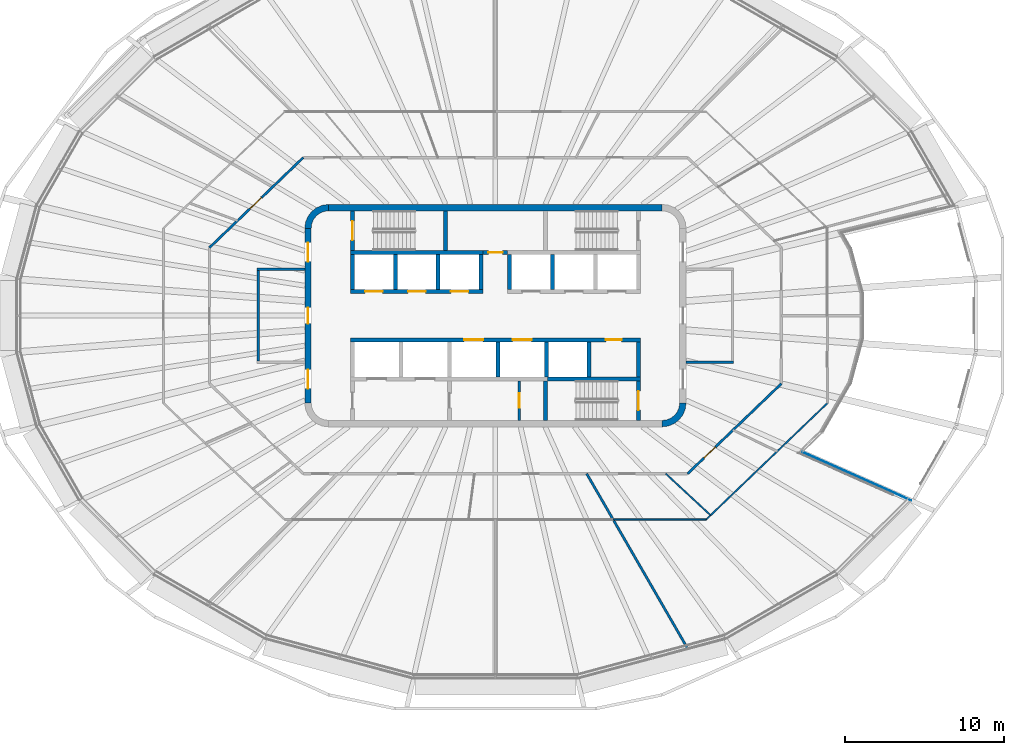
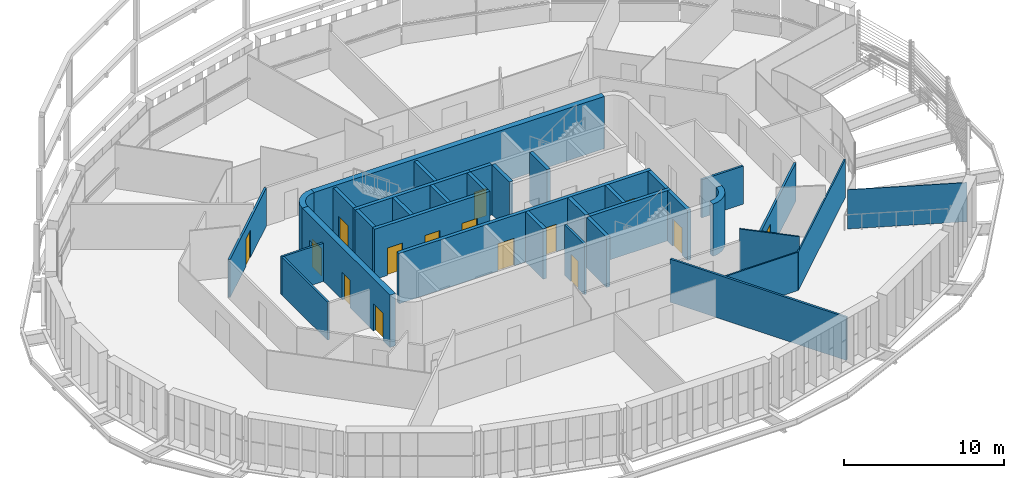
# One storey, part 11 of 21: 34 walls, 15 doors, 15 openings.
"""IFC4 building model written with IfcOpenShell, lengths in metres."""

from ifc_helpers import new_model, si_unit, direction, frame, frame_2d, origin, place, context, subcontext, project, spatial, polyline, rectangle, outline, extrude, material, layer, layer_set, type_object, element, fill, save


model = new_model("IFC4")

# Units and contexts
model_context = context("Model", 3, precision=1e-05, world=origin(), true_north=direction((0.0, 1.0)))
body_context = subcontext(model_context, "Body", "Model", "MODEL_VIEW")
ifc_project = project(units=[si_unit("LENGTHUNIT", "METRE"), si_unit("AREAUNIT", "SQUARE_METRE"), si_unit("VOLUMEUNIT", "CUBIC_METRE"), si_unit("PLANEANGLEUNIT", "RADIAN"), si_unit("MASSUNIT", "GRAM", prefix="KILO")], contexts=[model_context])

# Site, building, storey
site_placement = place(None, origin())
site = spatial("IfcSite", under=ifc_project, at=site_placement, CompositionType="ELEMENT")
building_placement = place(site_placement, origin())
building = spatial("IfcBuilding", under=site, at=building_placement, Name="Sahrelin Media Tower", CompositionType="ELEMENT")
storey_placement = place(building_placement, frame((0.0, 0.0, 263.0)))
storey = spatial("IfcBuildingStorey", under=building, at=storey_placement, Name="L57", CompositionType="ELEMENT", Elevation=263.0)

# Wall
ifc_material_1 = material(Name="Concrete C60/75", Category="concrete")
ifc_layer_1 = layer(ifc_material_1, 0.39990234375)
ifc_layer_set_1 = layer_set([ifc_layer_1], Name="Core wall 400")
wall_type_1 = type_object("IfcWallType", Name="Core wall 400", PredefinedType="SHEAR", material=ifc_layer_set_1)
wall_1_placement = place(storey_placement, frame((-10.5, 6.800048828125, 0.0), z_axis=(0.0, 0.0, 1.0), x_axis=(1.0, 0.0, 0.0)))
element("IfcWall", 1, at=wall_1_placement, inside=storey, type_object=wall_type_1, Name="Core wall N L57", PredefinedType="SHEAR", context=body_context, shape_type="SweptSolid", body=[
    extrude(rectangle(XDim=21.0, YDim=0.39990234375, at=frame_2d((10.5, 0.0))), origin(), (0.0, 0.0, 1.0), 4.0),
])

# Wall, openings, doors
wall_2_placement = place(storey_placement, frame((-11.800048828125, -5.5, 0.0), z_axis=(0.0, 0.0, 1.0), x_axis=(0.0, 1.0, 0.0)))
wall_2 = element("IfcWall", 2, at=wall_2_placement, inside=storey, type_object=wall_type_1, Name="Core wall W L57", PredefinedType="SHEAR", context=body_context, shape_type="SweptSolid", body=[
    extrude(rectangle(XDim=11.0, YDim=0.39990234375, at=frame_2d((5.5, 0.0))), origin(), (0.0, 0.0, 1.0), 4.0),
])
opening_1_placement = place(wall_2_placement, frame((5.0, 0.0, 0.0)))
opening_1 = element("IfcOpeningElement", 3, at=opening_1_placement, cuts=wall_2, Name="Opening L57-D09", PredefinedType="OPENING", context=body_context, shape_type="SweptSolid", body=[
    extrude(rectangle(XDim=1.0, YDim=2.10009765625, at=frame_2d((0.5, 1.050048828125))), frame((0.0, 0.199951171875, 0.0), z_axis=(0.0, -1.0, 0.0), x_axis=(1.0, 0.0, 0.0)), (0.0, 0.0, 1.0), 0.39990234375),
])
opening_2_placement = place(wall_2_placement, frame((0.89990234375, 0.0, 0.0)))
opening_2 = element("IfcOpeningElement", 4, at=opening_2_placement, cuts=wall_2, Name="Opening L57-D11", PredefinedType="OPENING", context=body_context, shape_type="SweptSolid", body=[
    extrude(rectangle(XDim=1.199951171875, YDim=2.10009765625, at=frame_2d((0.60009765625, 1.050048828125))), frame((0.0, 0.199951171875, 0.0), z_axis=(0.0, -1.0, 0.0), x_axis=(1.0, 0.0, 0.0)), (0.0, 0.0, 1.0), 0.39990234375),
])
opening_3_placement = place(wall_2_placement, frame((8.89990234375, 0.0, 0.0)))
opening_3 = element("IfcOpeningElement", 5, at=opening_3_placement, cuts=wall_2, Name="Opening L57-D12", PredefinedType="OPENING", context=body_context, shape_type="SweptSolid", body=[
    extrude(rectangle(XDim=1.199951171875, YDim=2.10009765625, at=frame_2d((0.60009765625, 1.050048828125))), frame((0.0, 0.199951171875, 0.0), z_axis=(0.0, -1.0, 0.0), x_axis=(1.0, 0.0, 0.0)), (0.0, 0.0, 1.0), 0.39990234375),
])
ifc_material_2 = material(Name="Steel fire door leaf", Category="steel")
door_type_1 = type_object("IfcDoorType", Name="Fire door 1000 x 2100 EI 60", OperationType="NOTDEFINED", PredefinedType="DOOR", material=ifc_material_2)
door_1_placement = place(opening_1_placement, origin())
door_1 = element("IfcDoor", 6, at=door_1_placement, inside=storey, type_object=door_type_1, Name="Core room door", OperationType="SINGLE_SWING_RIGHT", OverallHeight=2.10009765625, OverallWidth=1.0, PredefinedType="DOOR", context=body_context, shape_type="SweptSolid", body=[
    extrude(rectangle(XDim=1.0, YDim=2.10009765625, at=frame_2d((0.5, 1.050048828125))), frame((0.0, 0.02490234375, 0.0), z_axis=(0.0, -1.0, 0.0), x_axis=(1.0, 0.0, 0.0)), (0.0, 0.0, 1.0), 0.050048828125),
])
fill(opening_1, door_1)
door_type_2 = type_object("IfcDoorType", Name="Lobby door 1200 x 2100 EI 60", OperationType="NOTDEFINED", PredefinedType="DOOR", material=ifc_material_2)
door_2_placement = place(opening_2_placement, origin())
door_2 = element("IfcDoor", 7, at=door_2_placement, inside=storey, type_object=door_type_2, Name="Lobby door", OperationType="SINGLE_SWING_LEFT", OverallHeight=2.10009765625, OverallWidth=1.199951171875, PredefinedType="DOOR", context=body_context, shape_type="SweptSolid", body=[
    extrude(rectangle(XDim=1.199951171875, YDim=2.10009765625, at=frame_2d((0.60009765625, 1.050048828125))), frame((0.0, 0.02490234375, 0.0), z_axis=(0.0, -1.0, 0.0), x_axis=(1.0, 0.0, 0.0)), (0.0, 0.0, 1.0), 0.050048828125),
])
fill(opening_2, door_2)
door_3_placement = place(opening_3_placement, origin())
door_3 = element("IfcDoor", 8, at=door_3_placement, inside=storey, type_object=door_type_2, Name="Lobby door", OperationType="SINGLE_SWING_LEFT", OverallHeight=2.10009765625, OverallWidth=1.199951171875, PredefinedType="DOOR", context=body_context, shape_type="SweptSolid", body=[
    extrude(rectangle(XDim=1.199951171875, YDim=2.10009765625, at=frame_2d((0.60009765625, 1.050048828125))), frame((0.0, 0.02490234375, 0.0), z_axis=(0.0, -1.0, 0.0), x_axis=(1.0, 0.0, 0.0)), (0.0, 0.0, 1.0), 0.050048828125),
])
fill(opening_3, door_3)

# Walls
placement = place(storey_placement, origin())
element("IfcWall", 9, at=placement, inside=storey, type_object=wall_type_1, Name="Core wall corner NW L57", PredefinedType="SHEAR", context=body_context, shape_type="SweptSolid", body=[
    extrude(outline(polyline([(-12.0, 5.5), (-11.596435546875, 5.5), (-11.55908203125, 5.78369140625), (-11.44970703125, 6.04833984375), (-11.275390625, 6.275390625), (-11.04833984375, 6.44970703125), (-10.78369140625, 6.55908203125), (-10.5, 6.596435546875), (-10.5, 7.0), (-10.88818359375, 6.948974609375), (-11.25, 6.799072265625), (-11.560791015625, 6.560791015625), (-11.799072265625, 6.25), (-11.948974609375, 5.88818359375), (-12.0, 5.5)])), origin(), (0.0, 0.0, 1.0), 4.0),
])
element("IfcWall", 10, at=placement, inside=storey, type_object=wall_type_1, Name="Core wall corner SE L57", PredefinedType="SHEAR", context=body_context, shape_type="SweptSolid", body=[
    extrude(outline(polyline([(12.0, -5.5), (11.596435546875, -5.5), (11.55908203125, -5.78369140625), (11.44970703125, -6.04833984375), (11.275390625, -6.275390625), (11.04833984375, -6.44970703125), (10.78369140625, -6.55908203125), (10.5, -6.596435546875), (10.5, -7.0), (10.88818359375, -6.948974609375), (11.25, -6.799072265625), (11.560791015625, -6.560791015625), (11.799072265625, -6.25), (11.948974609375, -5.88818359375), (12.0, -5.5)])), origin(), (0.0, 0.0, 1.0), 4.0),
])

# Wall, opening, door
ifc_material_3 = material(Name="Fire-rated gypsum board partition")
ifc_layer_2 = layer(ifc_material_3, 0.25)
ifc_layer_set_2 = layer_set([ifc_layer_2], Name="Fire-rated lobby wall 250")
wall_type_2 = type_object("IfcWallType", Name="Fire-rated lobby wall 250", PredefinedType="PARTITIONING", material=ifc_layer_set_2)
wall_5_placement = place(storey_placement, frame((-0.77490234375, 3.97509765625, 0.0), z_axis=(0.0, 0.0, 1.0), x_axis=(1.0, 0.0, 0.0)))
wall_5 = element("IfcWall", 11, at=wall_5_placement, inside=storey, type_object=wall_type_2, Name="Core lobby wall", PredefinedType="PARTITIONING", context=body_context, shape_type="SweptSolid", body=[
    extrude(rectangle(XDim=1.5498046875, YDim=0.25, at=frame_2d((0.77490234375, 0.0))), origin(), (0.0, 0.0, 1.0), 3.85009765625),
])
opening_4_placement = place(wall_5_placement, frame((0.324951171875, 0.0, 0.0)))
opening_4 = element("IfcOpeningElement", 12, at=opening_4_placement, cuts=wall_5, Name="Opening L57-D06", PredefinedType="OPENING", context=body_context, shape_type="SweptSolid", body=[
    extrude(rectangle(XDim=0.89990234375, YDim=2.10009765625, at=frame_2d((0.449951171875, 1.050048828125))), frame((0.0, 0.125, 0.0), z_axis=(0.0, -1.0, 0.0), x_axis=(1.0, 0.0, 0.0)), (0.0, 0.0, 1.0), 0.25),
])
door_type_3 = type_object("IfcDoorType", Name="Riser door 900 x 2100 EI 120", OperationType="NOTDEFINED", PredefinedType="DOOR", material=ifc_material_2)
door_4_placement = place(opening_4_placement, origin())
door_4 = element("IfcDoor", 13, at=door_4_placement, inside=storey, type_object=door_type_3, Name="Core room door", OperationType="SINGLE_SWING_LEFT", OverallHeight=2.10009765625, OverallWidth=0.89990234375, PredefinedType="DOOR", context=body_context, shape_type="SweptSolid", body=[
    extrude(rectangle(XDim=0.89990234375, YDim=2.10009765625, at=frame_2d((0.449951171875, 1.050048828125))), frame((0.0, 0.02490234375, 0.0), z_axis=(0.0, -1.0, 0.0), x_axis=(1.0, 0.0, 0.0)), (0.0, 0.0, 1.0), 0.050048828125),
])
fill(opening_4, door_4)

ifc_layer_3 = layer(ifc_material_3, 0.14990234375)
ifc_layer_set_3 = layer_set([ifc_layer_3], Name="Fire-rated partition 150")
wall_type_3 = type_object("IfcWallType", Name="Fire-rated partition 150", PredefinedType="PARTITIONING", material=ifc_layer_set_3)
wall_6_placement = place(storey_placement, frame((1.5, -6.60009765625, 0.0), z_axis=(0.0, 0.0, 1.0), x_axis=(0.0, 1.0, 0.0)))
wall_6 = element("IfcWall", 14, at=wall_6_placement, inside=storey, type_object=wall_type_3, Name="Core room fire partition", PredefinedType="PARTITIONING", context=body_context, shape_type="SweptSolid", body=[
    extrude(rectangle(XDim=2.5, YDim=0.14990234375, at=frame_2d((1.25, 0.0))), origin(), (0.0, 0.0, 1.0), 3.85009765625),
])
opening_5_placement = place(wall_6_placement, frame((0.800048828125, 0.0, 0.0)))
opening_5 = element("IfcOpeningElement", 15, at=opening_5_placement, cuts=wall_6, Name="Opening L57-D07", PredefinedType="OPENING", context=body_context, shape_type="SweptSolid", body=[
    extrude(rectangle(XDim=0.89990234375, YDim=2.10009765625, at=frame_2d((0.449951171875, 1.050048828125))), frame((0.0, 0.074951171875, 0.0), z_axis=(0.0, -1.0, 0.0), x_axis=(1.0, 0.0, 0.0)), (0.0, 0.0, 1.0), 0.14990234375),
])
door_type_4 = type_object("IfcDoorType", Name="Fire door 900 x 2100 EI 60", OperationType="NOTDEFINED", PredefinedType="DOOR", material=ifc_material_2)
door_5_placement = place(opening_5_placement, origin())
door_5 = element("IfcDoor", 16, at=door_5_placement, inside=storey, type_object=door_type_4, Name="Core room door", OperationType="SINGLE_SWING_RIGHT", OverallHeight=2.10009765625, OverallWidth=0.89990234375, PredefinedType="DOOR", context=body_context, shape_type="SweptSolid", body=[
    extrude(rectangle(XDim=0.89990234375, YDim=2.10009765625, at=frame_2d((0.449951171875, 1.050048828125))), frame((0.0, 0.02490234375, 0.0), z_axis=(0.0, -1.0, 0.0), x_axis=(1.0, 0.0, 0.0)), (0.0, 0.0, 1.0), 0.050048828125),
])
fill(opening_5, door_5)

# Walls
wall_7_placement = place(storey_placement, frame((-14.925048828125, -2.85009765625, 0.0), z_axis=(0.0, 0.0, 1.0), x_axis=(0.0, 1.0, 0.0)))
element("IfcWall", 17, at=wall_7_placement, inside=storey, type_object=wall_type_3, Name="Core room fire partition", PredefinedType="PARTITIONING", context=body_context, shape_type="SweptSolid", body=[
    extrude(rectangle(XDim=5.7001953125, YDim=0.14990234375, at=frame_2d((2.85009765625, 0.0))), origin(), (0.0, 0.0, 1.0), 2.918212890625),
])
for number, where, z_axis, x_axis, name in (
    (18, (-15.0, 2.925048828125, 0.0), (0.0, 0.0, 1.0), (1.0, 0.0, 0.0), "Core room fire partition"),
    (19, (12.0, -2.925048828125, 0.0), (0.0, 0.0, 1.0), (1.0, 0.0, 0.0), "Core room fire partition"),
):
    element("IfcWall", number, at=place(storey_placement, frame(where, z_axis=z_axis, x_axis=x_axis)), inside=storey, type_object=wall_type_3, Name=name, PredefinedType="PARTITIONING", context=body_context, shape_type="SweptSolid", body=[
        extrude(rectangle(XDim=3.0, YDim=0.14990234375, at=frame_2d((1.5, 0.0))), origin(), (0.0, 0.0, 1.0), 2.918212890625),
    ])
wall_8_placement = place(storey_placement, frame((5.743896484375, -9.948974609375, 0.0), z_axis=(0.0, 0.0, 1.0), x_axis=(0.500041996576, -0.866001155692, 0.0)))
element("IfcWall", 20, at=wall_8_placement, inside=storey, type_object=wall_type_3, Name="Wall", PredefinedType="PARTITIONING", context=body_context, shape_type="SweptSolid", body=[
    extrude(rectangle(XDim=12.7421875, YDim=0.14990234375, at=frame_2d((6.37109375, 0.0))), origin(), (0.0, 0.0, 1.0), 3.3017578125),
])

# Wall, opening, door
wall_9_placement = place(storey_placement, frame((12.094970703125, -9.948974609375, 0.0), z_axis=(0.0, 0.0, 1.0), x_axis=(0.721260976692, 0.69266341285, 0.0)))
wall_9 = element("IfcWall", 21, at=wall_9_placement, inside=storey, type_object=wall_type_3, Name="Wall", PredefinedType="PARTITIONING", context=body_context, shape_type="SweptSolid", body=[
    extrude(rectangle(XDim=8.18701171875, YDim=0.14990234375, at=frame_2d((4.093505859375, 0.0))), origin(), (0.0, 0.0, 1.0), 2.918212890625),
])
opening_6_placement = place(wall_9_placement, frame((1.4296875, 0.0, 0.0)))
opening_6 = element("IfcOpeningElement", 22, at=opening_6_placement, cuts=wall_9, Name="Opening L57-D31", PredefinedType="OPENING", context=body_context, shape_type="SweptSolid", body=[
    extrude(rectangle(XDim=1.0, YDim=2.10009765625, at=frame_2d((0.5, 1.050048828125))), frame((0.0, 0.074951171875, 0.0), z_axis=(0.0, -1.0, 0.0), x_axis=(1.0, 0.0, 0.0)), (0.0, 0.0, 1.0), 0.14990234375),
])
door_6_placement = place(opening_6_placement, origin())
door_6 = element("IfcDoor", 23, at=door_6_placement, inside=storey, type_object=door_type_1, Name="Fire door", OperationType="SINGLE_SWING_RIGHT", OverallHeight=2.10009765625, OverallWidth=1.0, PredefinedType="DOOR", context=body_context, shape_type="SweptSolid", body=[
    extrude(rectangle(XDim=1.0, YDim=2.10009765625, at=frame_2d((0.5, 1.050048828125))), frame((0.0, 0.02490234375, 0.0), z_axis=(0.0, -1.0, 0.0), x_axis=(1.0, 0.0, 0.0)), (0.0, 0.0, 1.0), 0.050048828125),
])
fill(opening_6, door_6)

wall_10_placement = place(storey_placement, frame((-18.0, 4.278076171875, 0.0), z_axis=(0.0, 0.0, 1.0), x_axis=(0.721260976692, 0.69266341285, 0.0)))
wall_10 = element("IfcWall", 24, at=wall_10_placement, inside=storey, type_object=wall_type_3, Name="Wall", PredefinedType="PARTITIONING", context=body_context, shape_type="SweptSolid", body=[
    extrude(rectangle(XDim=8.18701171875, YDim=0.14990234375, at=frame_2d((4.093505859375, 0.0))), origin(), (0.0, 0.0, 1.0), 2.918212890625),
])
opening_7_placement = place(wall_10_placement, frame((3.5439453125, 0.0, 0.0)))
opening_7 = element("IfcOpeningElement", 25, at=opening_7_placement, cuts=wall_10, Name="Opening L57-D21", PredefinedType="OPENING", context=body_context, shape_type="SweptSolid", body=[
    extrude(rectangle(XDim=1.0, YDim=2.10009765625, at=frame_2d((0.5, 1.050048828125))), frame((0.0, 0.074951171875, 0.0), z_axis=(0.0, -1.0, 0.0), x_axis=(1.0, 0.0, 0.0)), (0.0, 0.0, 1.0), 0.14990234375),
])
door_7_placement = place(opening_7_placement, origin())
door_7 = element("IfcDoor", 26, at=door_7_placement, inside=storey, type_object=door_type_1, Name="Fire door", OperationType="SINGLE_SWING_LEFT", OverallHeight=2.10009765625, OverallWidth=1.0, PredefinedType="DOOR", context=body_context, shape_type="SweptSolid", body=[
    extrude(rectangle(XDim=1.0, YDim=2.10009765625, at=frame_2d((0.5, 1.050048828125))), frame((0.0, 0.02490234375, 0.0), z_axis=(0.0, -1.0, 0.0), x_axis=(1.0, 0.0, 0.0)), (0.0, 0.0, 1.0), 0.050048828125),
])
fill(opening_7, door_7)

# Wall
ifc_material_4 = material(Name="Clear glass", Category="glass")
ifc_layer_4 = layer(ifc_material_4, 0.050048828125)
ifc_layer_set_4 = layer_set([ifc_layer_4], Name="Glazed partition 50")
wall_type_4 = type_object("IfcWallType", Name="Glazed partition 50", PredefinedType="PARTITIONING", material=ifc_layer_set_4)
wall_11_placement = place(storey_placement, frame((19.324951171875, -8.593994140625, 0.0), z_axis=(0.0, 0.0, 1.0), x_axis=(0.913724263299, -0.406334801191, 0.0)))
element("IfcWall", 27, at=wall_11_placement, inside=storey, type_object=wall_type_4, Name="Wall", PredefinedType="PARTITIONING", context=body_context, shape_type="SweptSolid", body=[
    extrude(rectangle(XDim=7.4990234375, YDim=0.050048828125, at=frame_2d((3.74951171875, 0.0))), origin(), (0.0, 0.0, 1.0), 2.9951171875),
])

# Wall, openings, doors
ifc_layer_5 = layer(ifc_material_1, 0.25)
ifc_layer_set_5 = layer_set([ifc_layer_5], Name="Lift shaft wall 250")
wall_type_5 = type_object("IfcWallType", Name="Lift shaft wall 250", PredefinedType="SOLIDWALL", material=ifc_layer_set_5)
wall_12_placement = place(storey_placement, frame((-9.125, 1.52490234375, 0.0), z_axis=(0.0, 0.0, 1.0), x_axis=(1.0, 0.0, 0.0)))
wall_12 = element("IfcWall", 28, at=wall_12_placement, inside=storey, type_object=wall_type_5, Name="Lift shaft wall", PredefinedType="SOLIDWALL", context=body_context, shape_type="SweptSolid", body=[
    extrude(rectangle(XDim=8.35009765625, YDim=0.25, at=frame_2d((4.175048828125, 0.0))), origin(), (0.0, 0.0, 1.0), 3.85009765625),
])
opening_8_placement = place(wall_12_placement, frame((0.925048828125, 0.0, 0.0)))
opening_8 = element("IfcOpeningElement", 29, at=opening_8_placement, cuts=wall_12, Name="Opening L57-LD-HR1", PredefinedType="OPENING", context=body_context, shape_type="SweptSolid", body=[
    extrude(rectangle(XDim=1.10009765625, YDim=2.10009765625, at=frame_2d((0.550048828125, 1.050048828125))), frame((0.0, 0.125, 0.0), z_axis=(0.0, -1.0, 0.0), x_axis=(1.0, 0.0, 0.0)), (0.0, 0.0, 1.0), 0.25),
])
opening_9_placement = place(wall_12_placement, frame((3.625, 0.0, 0.0)))
opening_9 = element("IfcOpeningElement", 30, at=opening_9_placement, cuts=wall_12, Name="Opening L57-LD-HR2", PredefinedType="OPENING", context=body_context, shape_type="SweptSolid", body=[
    extrude(rectangle(XDim=1.10009765625, YDim=2.10009765625, at=frame_2d((0.550048828125, 1.050048828125))), frame((0.0, 0.125, 0.0), z_axis=(0.0, -1.0, 0.0), x_axis=(1.0, 0.0, 0.0)), (0.0, 0.0, 1.0), 0.25),
])
opening_10_placement = place(wall_12_placement, frame((6.324951171875, 0.0, 0.0)))
opening_10 = element("IfcOpeningElement", 31, at=opening_10_placement, cuts=wall_12, Name="Opening L57-LD-HR3", PredefinedType="OPENING", context=body_context, shape_type="SweptSolid", body=[
    extrude(rectangle(XDim=1.10009765625, YDim=2.10009765625, at=frame_2d((0.550048828125, 1.050048828125))), frame((0.0, 0.125, 0.0), z_axis=(0.0, -1.0, 0.0), x_axis=(1.0, 0.0, 0.0)), (0.0, 0.0, 1.0), 0.25),
])
ifc_material_5 = material(Name="Stainless steel", Category="steel")
door_type_5 = type_object("IfcDoorType", Name="Lift landing door 1100 x 2100 EI 120", OperationType="DOUBLE_DOOR_SLIDING", PredefinedType="DOOR", material=ifc_material_5)
door_8_placement = place(opening_8_placement, origin())
door_8 = element("IfcDoor", 32, at=door_8_placement, inside=storey, type_object=door_type_5, Name="Lift landing door HR1", OperationType="DOUBLE_DOOR_SLIDING", OverallHeight=2.10009765625, OverallWidth=1.10009765625, PredefinedType="DOOR", context=body_context, shape_type="SweptSolid", body=[
    extrude(rectangle(XDim=1.10009765625, YDim=2.10009765625, at=frame_2d((0.550048828125, 1.050048828125))), frame((0.0, 0.02490234375, 0.0), z_axis=(0.0, -1.0, 0.0), x_axis=(1.0, 0.0, 0.0)), (0.0, 0.0, 1.0), 0.050048828125),
])
fill(opening_8, door_8)
door_9_placement = place(opening_9_placement, origin())
door_9 = element("IfcDoor", 33, at=door_9_placement, inside=storey, type_object=door_type_5, Name="Lift landing door HR2", OperationType="DOUBLE_DOOR_SLIDING", OverallHeight=2.10009765625, OverallWidth=1.10009765625, PredefinedType="DOOR", context=body_context, shape_type="SweptSolid", body=[
    extrude(rectangle(XDim=1.10009765625, YDim=2.10009765625, at=frame_2d((0.550048828125, 1.050048828125))), frame((0.0, 0.02490234375, 0.0), z_axis=(0.0, -1.0, 0.0), x_axis=(1.0, 0.0, 0.0)), (0.0, 0.0, 1.0), 0.050048828125),
])
fill(opening_9, door_9)
door_10_placement = place(opening_10_placement, origin())
door_10 = element("IfcDoor", 34, at=door_10_placement, inside=storey, type_object=door_type_5, Name="Lift landing door HR3", OperationType="DOUBLE_DOOR_SLIDING", OverallHeight=2.10009765625, OverallWidth=1.10009765625, PredefinedType="DOOR", context=body_context, shape_type="SweptSolid", body=[
    extrude(rectangle(XDim=1.10009765625, YDim=2.10009765625, at=frame_2d((0.550048828125, 1.050048828125))), frame((0.0, 0.02490234375, 0.0), z_axis=(0.0, -1.0, 0.0), x_axis=(1.0, 0.0, 0.0)), (0.0, 0.0, 1.0), 0.050048828125),
])
fill(opening_10, door_10)

# Walls
wall_13_placement = place(storey_placement, frame((-9.125, 3.97509765625, 0.0), z_axis=(0.0, 0.0, 1.0), x_axis=(1.0, 0.0, 0.0)))
element("IfcWall", 35, at=wall_13_placement, inside=storey, type_object=wall_type_5, Name="Lift shaft wall", PredefinedType="SOLIDWALL", context=body_context, shape_type="SweptSolid", body=[
    extrude(rectangle(XDim=8.35009765625, YDim=0.25, at=frame_2d((4.175048828125, 0.0))), origin(), (0.0, 0.0, 1.0), 3.85009765625),
])
for number, where, z_axis, x_axis, name in (
    (36, (-9.0, 1.64990234375, 0.0), (0.0, 0.0, 1.0), (0.0, 1.0, 0.0), "Lift shaft wall"),
    (37, (-6.300048828125, 1.64990234375, 0.0), (0.0, 0.0, 1.0), (0.0, 1.0, 0.0), "Lift shaft wall"),
    (38, (-3.60009765625, 1.64990234375, 0.0), (0.0, 0.0, 1.0), (0.0, 1.0, 0.0), "Lift shaft wall"),
    (39, (3.60009765625, 1.64990234375, 0.0), (0.0, 0.0, 1.0), (0.0, 1.0, 0.0), "Lift shaft wall"),
    (40, (-0.89990234375, 1.64990234375, 0.0), (0.0, 0.0, 1.0), (0.0, 1.0, 0.0), "Lift shaft wall"),
    (41, (0.89990234375, 1.64990234375, 0.0), (0.0, 0.0, 1.0), (0.0, 1.0, 0.0), "Lift shaft wall"),
):
    element("IfcWall", number, at=place(storey_placement, frame(where, z_axis=z_axis, x_axis=x_axis)), inside=storey, type_object=wall_type_5, Name=name, PredefinedType="SOLIDWALL", context=body_context, shape_type="SweptSolid", body=[
        extrude(rectangle(XDim=2.2001953125, YDim=0.25, at=frame_2d((1.10009765625, 0.0))), origin(), (0.0, 0.0, 1.0), 3.85009765625),
    ])

# Wall, openings, doors
wall_14_placement = place(storey_placement, frame((-9.125, -1.52490234375, 0.0), z_axis=(0.0, 0.0, 1.0), x_axis=(1.0, 0.0, 0.0)))
wall_14 = element("IfcWall", 42, at=wall_14_placement, inside=storey, type_object=wall_type_5, Name="Lift shaft wall", PredefinedType="SOLIDWALL", context=body_context, shape_type="SweptSolid", body=[
    extrude(rectangle(XDim=18.25, YDim=0.25, at=frame_2d((9.125, 0.0))), origin(), (0.0, 0.0, 1.0), 3.85009765625),
])
opening_11_placement = place(wall_14_placement, frame((7.14990234375, 0.0, 0.0)))
opening_11 = element("IfcOpeningElement", 43, at=opening_11_placement, cuts=wall_14, Name="Opening L57-LD-SV1", PredefinedType="OPENING", context=body_context, shape_type="SweptSolid", body=[
    extrude(rectangle(XDim=1.199951171875, YDim=2.10009765625, at=frame_2d((0.60009765625, 1.050048828125))), frame((0.0, 0.125, 0.0), z_axis=(0.0, -1.0, 0.0), x_axis=(1.0, 0.0, 0.0)), (0.0, 0.0, 1.0), 0.25),
])
opening_12_placement = place(wall_14_placement, frame((10.199951171875, 0.0, 0.0)))
opening_12 = element("IfcOpeningElement", 44, at=opening_12_placement, cuts=wall_14, Name="Opening L57-LD-SV2", PredefinedType="OPENING", context=body_context, shape_type="SweptSolid", body=[
    extrude(rectangle(XDim=1.199951171875, YDim=2.10009765625, at=frame_2d((0.60009765625, 1.050048828125))), frame((0.0, 0.125, 0.0), z_axis=(0.0, -1.0, 0.0), x_axis=(1.0, 0.0, 0.0)), (0.0, 0.0, 1.0), 0.25),
])
opening_13_placement = place(wall_14_placement, frame((16.074951171875, 0.0, 0.0)))
opening_13 = element("IfcOpeningElement", 45, at=opening_13_placement, cuts=wall_14, Name="Opening L57-D08", PredefinedType="OPENING", context=body_context, shape_type="SweptSolid", body=[
    extrude(rectangle(XDim=1.0, YDim=2.10009765625, at=frame_2d((0.5, 1.050048828125))), frame((0.0, 0.125, 0.0), z_axis=(0.0, -1.0, 0.0), x_axis=(1.0, 0.0, 0.0)), (0.0, 0.0, 1.0), 0.25),
])
door_11_placement = place(opening_13_placement, origin())
door_11 = element("IfcDoor", 46, at=door_11_placement, inside=storey, type_object=door_type_1, Name="Core room door", OperationType="SINGLE_SWING_RIGHT", OverallHeight=2.10009765625, OverallWidth=1.0, PredefinedType="DOOR", context=body_context, shape_type="SweptSolid", body=[
    extrude(rectangle(XDim=1.0, YDim=2.10009765625, at=frame_2d((0.5, 1.050048828125))), frame((0.0, 0.02490234375, 0.0), z_axis=(0.0, -1.0, 0.0), x_axis=(1.0, 0.0, 0.0)), (0.0, 0.0, 1.0), 0.050048828125),
])
fill(opening_13, door_11)
door_type_6 = type_object("IfcDoorType", Name="Lift landing door 1200 x 2100 EI 120", OperationType="DOUBLE_DOOR_SLIDING", PredefinedType="DOOR", material=ifc_material_5)
door_12_placement = place(opening_11_placement, origin())
door_12 = element("IfcDoor", 47, at=door_12_placement, inside=storey, type_object=door_type_6, Name="Lift landing door SV1", OperationType="DOUBLE_DOOR_SLIDING", OverallHeight=2.10009765625, OverallWidth=1.199951171875, PredefinedType="DOOR", context=body_context, shape_type="SweptSolid", body=[
    extrude(rectangle(XDim=1.199951171875, YDim=2.10009765625, at=frame_2d((0.60009765625, 1.050048828125))), frame((0.0, 0.02490234375, 0.0), z_axis=(0.0, -1.0, 0.0), x_axis=(1.0, 0.0, 0.0)), (0.0, 0.0, 1.0), 0.050048828125),
])
fill(opening_11, door_12)
door_13_placement = place(opening_12_placement, origin())
door_13 = element("IfcDoor", 48, at=door_13_placement, inside=storey, type_object=door_type_6, Name="Lift landing door SV2", OperationType="DOUBLE_DOOR_SLIDING", OverallHeight=2.10009765625, OverallWidth=1.199951171875, PredefinedType="DOOR", context=body_context, shape_type="SweptSolid", body=[
    extrude(rectangle(XDim=1.199951171875, YDim=2.10009765625, at=frame_2d((0.60009765625, 1.050048828125))), frame((0.0, 0.02490234375, 0.0), z_axis=(0.0, -1.0, 0.0), x_axis=(1.0, 0.0, 0.0)), (0.0, 0.0, 1.0), 0.050048828125),
])
fill(opening_12, door_13)

# Walls
wall_15_placement = place(storey_placement, frame((3.27490234375, -3.97509765625, 0.0), z_axis=(0.0, 0.0, 1.0), x_axis=(1.0, 0.0, 0.0)))
element("IfcWall", 49, at=wall_15_placement, inside=storey, type_object=wall_type_5, Name="Lift shaft wall", PredefinedType="SOLIDWALL", context=body_context, shape_type="SweptSolid", body=[
    extrude(rectangle(XDim=5.85009765625, YDim=0.25, at=frame_2d((2.925048828125, 0.0))), origin(), (0.0, 0.0, 1.0), 3.85009765625),
])
for number, where, z_axis, x_axis, name in (
    (50, (0.14990234375, -3.85009765625, 0.0), (0.0, 0.0, 1.0), (0.0, 1.0, 0.0), "Lift shaft wall"),
    (51, (3.199951171875, -3.85009765625, 0.0), (0.0, 0.0, 1.0), (0.0, 1.0, 0.0), "Lift shaft wall"),
    (52, (5.89990234375, -3.85009765625, 0.0), (0.0, 0.0, 1.0), (0.0, 1.0, 0.0), "Lift shaft wall"),
    (53, (9.0, -3.85009765625, 0.0), (0.0, 0.0, 1.0), (0.0, 1.0, 0.0), "Lift shaft wall"),
):
    element("IfcWall", number, at=place(storey_placement, frame(where, z_axis=z_axis, x_axis=x_axis)), inside=storey, type_object=wall_type_5, Name=name, PredefinedType="SOLIDWALL", context=body_context, shape_type="SweptSolid", body=[
        extrude(rectangle(XDim=2.2001953125, YDim=0.25, at=frame_2d((1.10009765625, 0.0))), origin(), (0.0, 0.0, 1.0), 3.85009765625),
    ])
ifc_material_6 = material(Name="Gypsum board partition")
ifc_layer_6 = layer(ifc_material_6, 0.10009765625)
ifc_layer_set_6 = layer_set([ifc_layer_6], Name="Partition 100")
wall_type_6 = type_object("IfcWallType", Name="Partition 100", PredefinedType="PARTITIONING", material=ifc_layer_set_6)
wall_16_placement = place(storey_placement, frame((10.721923828125, -9.948974609375, 0.0), z_axis=(0.0, 0.0, 1.0), x_axis=(0.733130105592, -0.680088412102, 0.0)))
element("IfcWall", 54, at=wall_16_placement, inside=storey, type_object=wall_type_6, Name="Wall", PredefinedType="PARTITIONING", context=body_context, shape_type="SweptSolid", body=[
    extrude(rectangle(XDim=3.847900390625, YDim=0.10009765625, at=frame_2d((1.923828125, 0.0))), origin(), (0.0, 0.0, 1.0), 3.85009765625),
])
wall_17_placement = place(storey_placement, frame((7.4130859375, -12.839111328125, 0.0), z_axis=(0.0, 0.0, 1.0), x_axis=(1.0, 0.0, 0.0)))
element("IfcWall", 55, at=wall_17_placement, inside=storey, type_object=wall_type_6, Name="Wall", PredefinedType="PARTITIONING", context=body_context, shape_type="SweptSolid", body=[
    extrude(rectangle(XDim=5.844970703125, YDim=0.10009765625, at=frame_2d((2.92236328125, 0.0))), origin(), (0.0, 0.0, 1.0), 2.927001953125),
])
wall_18_placement = place(storey_placement, frame((13.258056640625, -12.839111328125, 0.0), z_axis=(0.0, 0.0, 1.0), x_axis=(0.721435728401, 0.692481400318, 0.0)))
element("IfcWall", 56, at=wall_18_placement, inside=storey, type_object=wall_type_6, Name="Wall", PredefinedType="PARTITIONING", context=body_context, shape_type="SweptSolid", body=[
    extrude(rectangle(XDim=10.58203125, YDim=0.10009765625, at=frame_2d((5.291015625, 0.0))), origin(), (0.0, 0.0, 1.0), 2.927001953125),
])

# Wall, opening, door
ifc_layer_7 = layer(ifc_material_1, 0.25)
ifc_layer_set_7 = layer_set([ifc_layer_7], Name="Stair enclosure wall 250")
wall_type_7 = type_object("IfcWallType", Name="Stair enclosure wall 250", PredefinedType="SOLIDWALL", material=ifc_layer_set_7)
wall_19_placement = place(storey_placement, frame((-9.0, 4.10009765625, 0.0), z_axis=(0.0, 0.0, 1.0), x_axis=(0.0, 1.0, 0.0)))
wall_19 = element("IfcWall", 57, at=wall_19_placement, inside=storey, type_object=wall_type_7, Name="Stair enclosure wall", PredefinedType="SOLIDWALL", context=body_context, shape_type="SweptSolid", body=[
    extrude(rectangle(XDim=2.5, YDim=0.25, at=frame_2d((1.25, 0.0))), origin(), (0.0, 0.0, 1.0), 3.85009765625),
])
opening_14_placement = place(wall_19_placement, frame((0.64990234375, 0.0, 0.0)))
opening_14 = element("IfcOpeningElement", 58, at=opening_14_placement, cuts=wall_19, Name="Opening L57-D01", PredefinedType="OPENING", context=body_context, shape_type="SweptSolid", body=[
    extrude(rectangle(XDim=1.199951171875, YDim=2.10009765625, at=frame_2d((0.60009765625, 1.050048828125))), frame((0.0, 0.125, 0.0), z_axis=(0.0, -1.0, 0.0), x_axis=(1.0, 0.0, 0.0)), (0.0, 0.0, 1.0), 0.25),
])
door_type_7 = type_object("IfcDoorType", Name="Stair door 1200 x 2100 EI 120", OperationType="NOTDEFINED", PredefinedType="DOOR", material=ifc_material_2)
door_14_placement = place(opening_14_placement, origin())
door_14 = element("IfcDoor", 59, at=door_14_placement, inside=storey, type_object=door_type_7, Name="Stair door ST1", OperationType="SINGLE_SWING_RIGHT", OverallHeight=2.10009765625, OverallWidth=1.199951171875, PredefinedType="DOOR", context=body_context, shape_type="SweptSolid", body=[
    extrude(rectangle(XDim=1.199951171875, YDim=2.10009765625, at=frame_2d((0.60009765625, 1.050048828125))), frame((0.0, 0.02490234375, 0.0), z_axis=(0.0, -1.0, 0.0), x_axis=(1.0, 0.0, 0.0)), (0.0, 0.0, 1.0), 0.050048828125),
])
fill(opening_14, door_14)

wall_20_placement = place(storey_placement, frame((9.0, -6.60009765625, 0.0), z_axis=(0.0, 0.0, 1.0), x_axis=(0.0, 1.0, 0.0)))
wall_20 = element("IfcWall", 60, at=wall_20_placement, inside=storey, type_object=wall_type_7, Name="Stair enclosure wall", PredefinedType="SOLIDWALL", context=body_context, shape_type="SweptSolid", body=[
    extrude(rectangle(XDim=2.5, YDim=0.25, at=frame_2d((1.25, 0.0))), origin(), (0.0, 0.0, 1.0), 3.85009765625),
])
opening_15_placement = place(wall_20_placement, frame((0.64990234375, 0.0, 0.0)))
opening_15 = element("IfcOpeningElement", 61, at=opening_15_placement, cuts=wall_20, Name="Opening L57-D03", PredefinedType="OPENING", context=body_context, shape_type="SweptSolid", body=[
    extrude(rectangle(XDim=1.199951171875, YDim=2.10009765625, at=frame_2d((0.60009765625, 1.050048828125))), frame((0.0, 0.125, 0.0), z_axis=(0.0, -1.0, 0.0), x_axis=(1.0, 0.0, 0.0)), (0.0, 0.0, 1.0), 0.25),
])
door_15_placement = place(opening_15_placement, origin())
door_15 = element("IfcDoor", 62, at=door_15_placement, inside=storey, type_object=door_type_7, Name="Stair door ST2", OperationType="SINGLE_SWING_LEFT", OverallHeight=2.10009765625, OverallWidth=1.199951171875, PredefinedType="DOOR", context=body_context, shape_type="SweptSolid", body=[
    extrude(rectangle(XDim=1.199951171875, YDim=2.10009765625, at=frame_2d((0.60009765625, 1.050048828125))), frame((0.0, 0.02490234375, 0.0), z_axis=(0.0, -1.0, 0.0), x_axis=(1.0, 0.0, 0.0)), (0.0, 0.0, 1.0), 0.050048828125),
])
fill(opening_15, door_15)

# Walls
for number, where, z_axis, x_axis, name in (
    (63, (-3.14990234375, 4.10009765625, 0.0), (0.0, 0.0, 1.0), (0.0, 1.0, 0.0), "Stair enclosure wall"),
    (64, (3.14990234375, -6.60009765625, 0.0), (0.0, 0.0, 1.0), (0.0, 1.0, 0.0), "Stair enclosure wall"),
):
    element("IfcWall", number, at=place(storey_placement, frame(where, z_axis=z_axis, x_axis=x_axis)), inside=storey, type_object=wall_type_7, Name=name, PredefinedType="SOLIDWALL", context=body_context, shape_type="SweptSolid", body=[
        extrude(rectangle(XDim=2.5, YDim=0.25, at=frame_2d((1.25, 0.0))), origin(), (0.0, 0.0, 1.0), 3.85009765625),
    ])

save(model, "model.ifc")
